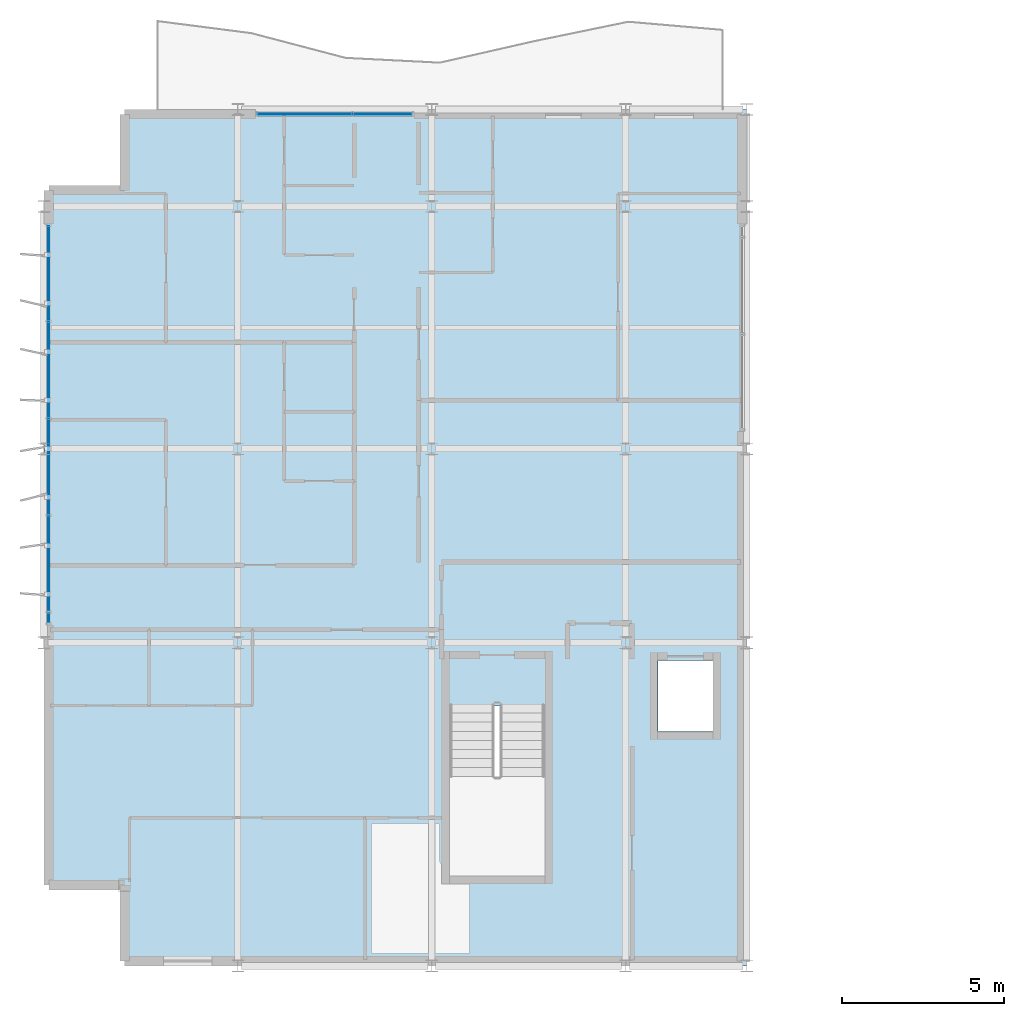
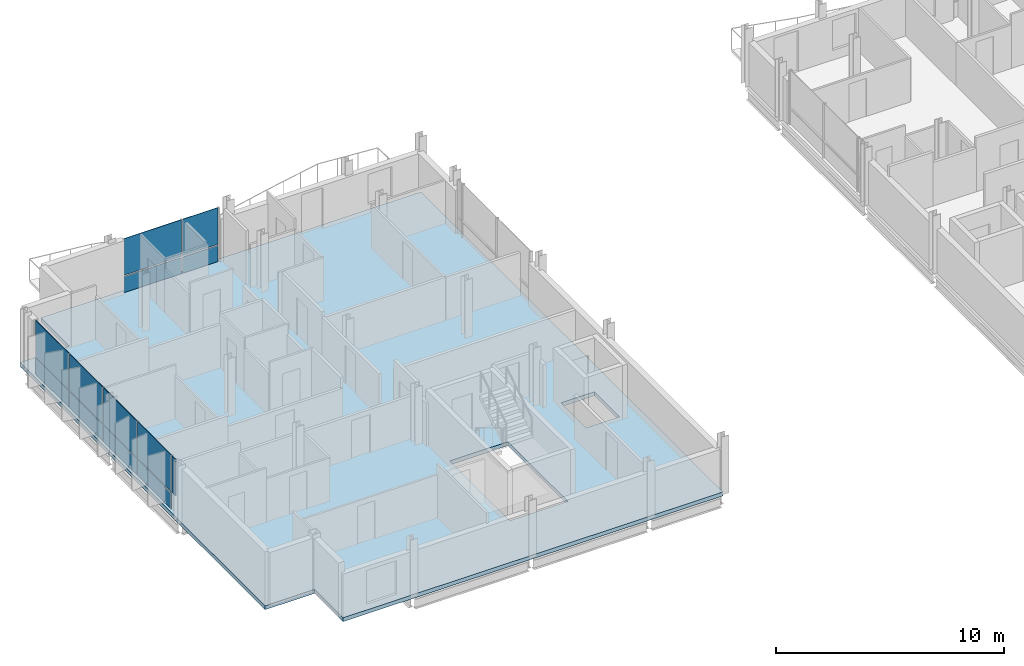
# One storey, part 16 of 30: 13 plates, 1 slab, 2 elements without a shape of their own.
"""IFC4 building model written with IfcOpenShell, lengths in metres."""

from ifc_helpers import new_model, si_unit, direction, frame, origin, origin_2d, place, context, subcontext, project, spatial, polyline, rectangle, outline, extrude, material, layer, layer_set, type_object, element, aggregate, save


model = new_model("IFC4")

# Units and contexts
model_context = context("Model", 3, precision=1e-05, world=origin(), true_north=direction((0.0, 1.0)))
body_context = subcontext(model_context, "Body", "Model", "MODEL_VIEW")
ifc_project = project(units=[si_unit("LENGTHUNIT", "METRE"), si_unit("AREAUNIT", "SQUARE_METRE"), si_unit("VOLUMEUNIT", "CUBIC_METRE"), si_unit("PLANEANGLEUNIT", "RADIAN"), si_unit("MASSUNIT", "GRAM", prefix="KILO")], contexts=[model_context])

# Site, building, storey
site_placement = place(None, origin())
site = spatial("IfcSite", under=ifc_project, at=site_placement, CompositionType="ELEMENT")
building_placement = place(site_placement, origin())
building = spatial("IfcBuilding", under=site, at=building_placement, Name="Brevholm Reach", CompositionType="ELEMENT")
storey_placement = place(building_placement, frame((0.0, 0.0, 204.89990234375)))
storey = spatial("IfcBuildingStorey", under=building, at=storey_placement, Name="L62", CompositionType="ELEMENT", Elevation=204.89990234375)

# Curtain wall, plates
ifc_material_1 = material(Name="Dark Anodised Aluminium 6063-T6 and Solar-Control Glass", Category="aluminium")
ifc_layer_1 = layer(ifc_material_1, 0.14990234375)
ifc_layer_set_1 = layer_set([ifc_layer_1], Name="Dark Anodised Aluminium 6063-T6 and Solar-Control Glass")
curtain_wall_type = type_object("IfcCurtainWallType", Name="CW-01", PredefinedType="NOTDEFINED", material=ifc_layer_set_1)
curtain_wall_1_placement = place(storey_placement, origin())
curtain_wall_1 = element("IfcCurtainWall", 1, at=curtain_wall_1_placement, inside=storey, type_object=curtain_wall_type, Name="L62 Curtain Wall CW-01", PredefinedType="NOTDEFINED")
ifc_material_2 = material(Name="Dark Solar-Control Double-Glazed IGU Glass", Category="glass")
ifc_layer_2 = layer(ifc_material_2, 0.028076171875)
ifc_layer_set_2 = layer_set([ifc_layer_2], Name="Dark Solar-Control Double-Glazed IGU Glass")
plate_type = type_object("IfcPlateType", Name="CWP-GLZ-28", PredefinedType="CURTAIN_PANEL", material=ifc_layer_set_2)
plate_1_placement = place(storey_placement, frame((0.14990234375, 21.433837890625, 0.0), z_axis=(0.0, 0.0, 1.0), x_axis=(0.0, -1.0, 0.0)))
plate_1 = element("IfcPlate", 2, at=plate_1_placement, type_object=plate_type, Name="CP-01 Glazing Panel 1.1", PredefinedType="CURTAIN_PANEL", context=body_context, shape_type="SweptSolid", body=[
    extrude(rectangle(XDim=2.902587890625, YDim=0.028076171875, at=origin_2d()), origin(), (0.0, 0.0, 1.0), 0.867431640625),
])
plate_2_placement = place(storey_placement, frame((0.14990234375, 21.433837890625, 0.9326171875), z_axis=(0.0, 0.0, 1.0), x_axis=(0.0, -1.0, 0.0)))
plate_2 = element("IfcPlate", 3, at=plate_2_placement, type_object=plate_type, Name="CP-01 Glazing Panel 1.2", PredefinedType="CURTAIN_PANEL", context=body_context, shape_type="SweptSolid", body=[
    extrude(rectangle(XDim=2.902587890625, YDim=0.028076171875, at=origin_2d()), origin(), (0.0, 0.0, 1.0), 1.95751953125),
])
plate_3_placement = place(storey_placement, frame((0.14990234375, 18.449951171875, 0.0), z_axis=(0.0, 0.0, 1.0), x_axis=(0.0, -1.0, 0.0)))
plate_3 = element("IfcPlate", 4, at=plate_3_placement, type_object=plate_type, Name="CP-01 Glazing Panel 2.1", PredefinedType="CURTAIN_PANEL", context=body_context, shape_type="SweptSolid", body=[
    extrude(rectangle(XDim=2.93505859375, YDim=0.028076171875, at=origin_2d()), origin(), (0.0, 0.0, 1.0), 0.867431640625),
])
plate_4_placement = place(storey_placement, frame((0.14990234375, 18.449951171875, 0.9326171875), z_axis=(0.0, 0.0, 1.0), x_axis=(0.0, -1.0, 0.0)))
plate_4 = element("IfcPlate", 5, at=plate_4_placement, type_object=plate_type, Name="CP-01 Glazing Panel 2.2", PredefinedType="CURTAIN_PANEL", context=body_context, shape_type="SweptSolid", body=[
    extrude(rectangle(XDim=2.93505859375, YDim=0.028076171875, at=origin_2d()), origin(), (0.0, 0.0, 1.0), 1.95751953125),
])
plate_5_placement = place(storey_placement, frame((0.14990234375, 15.449951171875, 0.0), z_axis=(0.0, 0.0, 1.0), x_axis=(0.0, -1.0, 0.0)))
plate_5 = element("IfcPlate", 6, at=plate_5_placement, type_object=plate_type, Name="CP-01 Glazing Panel 3.1", PredefinedType="CURTAIN_PANEL", context=body_context, shape_type="SweptSolid", body=[
    extrude(rectangle(XDim=2.93505859375, YDim=0.028076171875, at=origin_2d()), origin(), (0.0, 0.0, 1.0), 0.867431640625),
])
plate_6_placement = place(storey_placement, frame((0.14990234375, 15.449951171875, 0.9326171875), z_axis=(0.0, 0.0, 1.0), x_axis=(0.0, -1.0, 0.0)))
plate_6 = element("IfcPlate", 7, at=plate_6_placement, type_object=plate_type, Name="CP-01 Glazing Panel 3.2", PredefinedType="CURTAIN_PANEL", context=body_context, shape_type="SweptSolid", body=[
    extrude(rectangle(XDim=2.93505859375, YDim=0.028076171875, at=origin_2d()), origin(), (0.0, 0.0, 1.0), 1.95751953125),
])
plate_7_placement = place(storey_placement, frame((0.14990234375, 12.449951171875, 0.0), z_axis=(0.0, 0.0, 1.0), x_axis=(0.0, -1.0, 0.0)))
plate_7 = element("IfcPlate", 8, at=plate_7_placement, type_object=plate_type, Name="CP-01 Glazing Panel 4.1", PredefinedType="CURTAIN_PANEL", context=body_context, shape_type="SweptSolid", body=[
    extrude(rectangle(XDim=2.93505859375, YDim=0.028076171875, at=origin_2d()), origin(), (0.0, 0.0, 1.0), 0.867431640625),
])
plate_8_placement = place(storey_placement, frame((0.14990234375, 12.449951171875, 0.9326171875), z_axis=(0.0, 0.0, 1.0), x_axis=(0.0, -1.0, 0.0)))
plate_8 = element("IfcPlate", 9, at=plate_8_placement, type_object=plate_type, Name="CP-01 Glazing Panel 4.2", PredefinedType="CURTAIN_PANEL", context=body_context, shape_type="SweptSolid", body=[
    extrude(rectangle(XDim=2.93505859375, YDim=0.028076171875, at=origin_2d()), origin(), (0.0, 0.0, 1.0), 1.95751953125),
])
plate_9_placement = place(storey_placement, frame((0.14990234375, 10.766357421875, 0.9326171875), z_axis=(0.0, 0.0, 1.0), x_axis=(0.0, -1.0, 0.0)))
plate_9 = element("IfcPlate", 10, at=plate_9_placement, type_object=plate_type, Name="CP-01 Glazing Panel 5.2", PredefinedType="CURTAIN_PANEL", context=body_context, shape_type="SweptSolid", body=[
    extrude(rectangle(XDim=0.302490234375, YDim=0.028076171875, at=origin_2d()), origin(), (0.0, 0.0, 1.0), 1.95751953125),
])
aggregate(curtain_wall_1, [plate_1, plate_2, plate_3, plate_4, plate_5, plate_6, plate_7, plate_8, plate_9])

curtain_wall_2_placement = place(storey_placement, origin())
curtain_wall_2 = element("IfcCurtainWall", 11, at=curtain_wall_2_placement, inside=storey, type_object=curtain_wall_type, Name="L62 Curtain Wall CW-01", PredefinedType="NOTDEFINED")
plate_10_placement = place(storey_placement, frame((8.066162109375, 26.35009765625, 0.0), z_axis=(0.0, 0.0, 1.0), x_axis=(1.0, 0.0, 0.0)))
plate_10 = element("IfcPlate", 12, at=plate_10_placement, type_object=plate_type, Name="CP-01 Glazing Panel 1.1", PredefinedType="CURTAIN_PANEL", context=body_context, shape_type="SweptSolid", body=[
    extrude(rectangle(XDim=2.902587890625, YDim=0.028076171875, at=origin_2d()), origin(), (0.0, 0.0, 1.0), 0.867431640625),
])
plate_11_placement = place(storey_placement, frame((8.066162109375, 26.35009765625, 0.9326171875), z_axis=(0.0, 0.0, 1.0), x_axis=(1.0, 0.0, 0.0)))
plate_11 = element("IfcPlate", 13, at=plate_11_placement, type_object=plate_type, Name="CP-01 Glazing Panel 1.2", PredefinedType="CURTAIN_PANEL", context=body_context, shape_type="SweptSolid", body=[
    extrude(rectangle(XDim=2.902587890625, YDim=0.028076171875, at=origin_2d()), origin(), (0.0, 0.0, 1.0), 1.95751953125),
])
plate_12_placement = place(storey_placement, frame((10.483642578125, 26.35009765625, 0.0), z_axis=(0.0, 0.0, 1.0), x_axis=(1.0, 0.0, 0.0)))
plate_12 = element("IfcPlate", 14, at=plate_12_placement, type_object=plate_type, Name="CP-01 Glazing Panel 2.1", PredefinedType="CURTAIN_PANEL", context=body_context, shape_type="SweptSolid", body=[
    extrude(rectangle(XDim=1.802490234375, YDim=0.028076171875, at=origin_2d()), origin(), (0.0, 0.0, 1.0), 0.867431640625),
])
plate_13_placement = place(storey_placement, frame((10.483642578125, 26.35009765625, 0.9326171875), z_axis=(0.0, 0.0, 1.0), x_axis=(1.0, 0.0, 0.0)))
plate_13 = element("IfcPlate", 15, at=plate_13_placement, type_object=plate_type, Name="CP-01 Glazing Panel 2.2", PredefinedType="CURTAIN_PANEL", context=body_context, shape_type="SweptSolid", body=[
    extrude(rectangle(XDim=1.802490234375, YDim=0.028076171875, at=origin_2d()), origin(), (0.0, 0.0, 1.0), 1.95751953125),
])
aggregate(curtain_wall_2, [plate_10, plate_11, plate_12, plate_13])

# Slab
ifc_material_3 = material(Name="Concrete C40/50", Category="concrete")
ifc_layer_3 = layer(ifc_material_3, 0.2099609375)
ifc_layer_set_3 = layer_set([ifc_layer_3], Name="Concrete C40/50")
slab_type = type_object("IfcSlabType", Name="SLB-FL-210", PredefinedType="FLOOR", material=ifc_layer_set_3)
slab_placement = place(storey_placement, frame((0.0, 0.0, -0.2099609375)))
element("IfcSlab", 16, at=slab_placement, inside=storey, type_object=slab_type, Name="L62 Suspended Floor Slab (west-wing)", PredefinedType="FLOOR", context=body_context, shape_type="SweptSolid", body=[
    extrude(outline(polyline([(2.5, 0.0), (21.75, 0.0), (21.75, 26.5), (2.5, 26.5), (2.5, 24.0), (0.0, 24.0), (0.0, 2.5), (2.5, 2.5), (2.5, 0.0)]), holes=[polyline([(12.550048828125, 2.780029296875), (15.5, 2.780029296875), (15.5, 8.044921875), (12.550048828125, 8.044921875), (12.550048828125, 2.780029296875)]), polyline([(19.0, 7.25), (20.699951171875, 7.25), (20.699951171875, 9.449951171875), (19.0, 9.449951171875), (19.0, 7.25)])]), origin(), (0.0, 0.0, 1.0), 0.2099609375),
])

save(model, "model.ifc")
